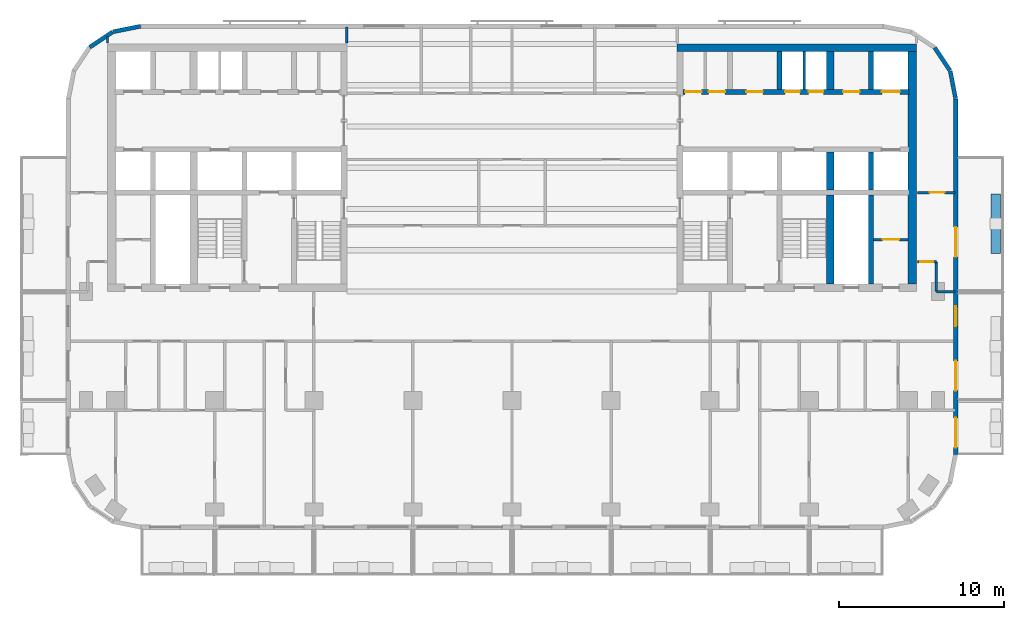
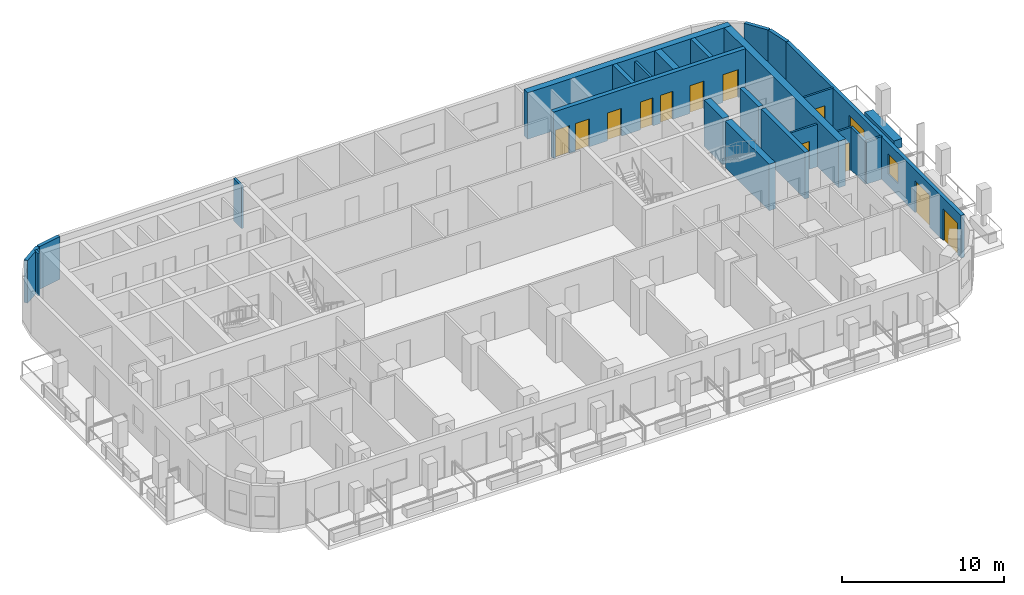
# One storey, part 7 of 12: 24 walls, 13 doors, 1 window, 14 openings.
"""IFC4 building model written with IfcOpenShell, lengths in metres."""

from ifc_helpers import new_model, si_unit, direction, frame, frame_2d, origin, place, context, subcontext, project, spatial, rectangle, extrude, material, layer, layer_set, type_object, element, fill, save


model = new_model("IFC4")

# Units and contexts
model_context = context("Model", 3, precision=1e-05, world=origin(), true_north=direction((0.0, 1.0)))
body_context = subcontext(model_context, "Body", "Model", "MODEL_VIEW")
ifc_project = project(units=[si_unit("LENGTHUNIT", "METRE"), si_unit("AREAUNIT", "SQUARE_METRE"), si_unit("VOLUMEUNIT", "CUBIC_METRE"), si_unit("PLANEANGLEUNIT", "RADIAN"), si_unit("MASSUNIT", "GRAM", prefix="KILO")], contexts=[model_context])

# Site, building, storey
site_placement = place(None, origin())
site = spatial("IfcSite", under=ifc_project, at=site_placement, CompositionType="ELEMENT")
building_placement = place(site_placement, origin())
building = spatial("IfcBuilding", under=site, at=building_placement, Name="Torana Hotel and Residences", CompositionType="ELEMENT")
storey_placement = place(building_placement, frame((0.0, 0.0, 201.10009765625)))
storey = spatial("IfcBuildingStorey", under=building, at=storey_placement, Name="L52", CompositionType="ELEMENT", Elevation=201.10009765625)

# Wall, openings, doors
ifc_material_1 = material(Name="Concrete C70/85", Category="concrete")
ifc_layer_1 = layer(ifc_material_1, 0.300048828125)
ifc_layer_set_1 = layer_set([ifc_layer_1], Name="CORE WALL 300 C70/85")
wall_type_1 = type_object("IfcWallType", Name="CORE WALL 300 C70/85", PredefinedType="SHEAR", material=ifc_layer_set_1)
wall_1_placement = place(storey_placement, frame((10.35009765625, -2.89990234375, 0.0), z_axis=(0.0, 0.0, 1.0), x_axis=(1.0, 0.0, 0.0)))
wall_1 = element("IfcWall", 1, at=wall_1_placement, inside=storey, type_object=wall_type_1, Name="Core wall E row-N", PredefinedType="SHEAR", context=body_context, shape_type="SweptSolid", body=[
    extrude(rectangle(XDim=13.699951171875, YDim=0.300048828125, at=frame_2d((6.85009765625, 0.0))), origin(), (0.0, 0.0, 1.0), 3.5),
])
opening_1_placement = place(wall_1_placement, frame((12.050048828125, 0.0, 0.0)))
opening_1 = element("IfcOpeningElement", 2, at=opening_1_placement, cuts=wall_1, Name="Opening LD", PredefinedType="OPENING", context=body_context, shape_type="SweptSolid", body=[
    extrude(rectangle(XDim=1.10009765625, YDim=2.10009765625, at=frame_2d((0.550048828125, 1.050048828125))), frame((0.0, 0.159912109375, 0.0), z_axis=(0.0, -1.0, 0.0), x_axis=(1.0, 0.0, 0.0)), (0.0, 0.0, 1.0), 0.320068359375),
])
opening_2_placement = place(wall_1_placement, frame((6.1875, 0.0, 0.0)))
opening_2 = element("IfcOpeningElement", 3, at=opening_2_placement, cuts=wall_1, Name="Opening L52-23", PredefinedType="OPENING", context=body_context, shape_type="SweptSolid", body=[
    extrude(rectangle(XDim=0.89990234375, YDim=2.10009765625, at=frame_2d((0.449951171875, 1.050048828125))), frame((0.0, 0.159912109375, 0.0), z_axis=(0.0, -1.0, 0.0), x_axis=(1.0, 0.0, 0.0)), (0.0, 0.0, 1.0), 0.320068359375),
])
opening_3_placement = place(wall_1_placement, frame((7.612548828125, 0.0, 0.0)))
opening_3 = element("IfcOpeningElement", 4, at=opening_3_placement, cuts=wall_1, Name="Opening L52-24", PredefinedType="OPENING", context=body_context, shape_type="SweptSolid", body=[
    extrude(rectangle(XDim=0.89990234375, YDim=2.10009765625, at=frame_2d((0.449951171875, 1.050048828125))), frame((0.0, 0.159912109375, 0.0), z_axis=(0.0, -1.0, 0.0), x_axis=(1.0, 0.0, 0.0)), (0.0, 0.0, 1.0), 0.320068359375),
])
opening_4_placement = place(wall_1_placement, frame((0.137451171875, 0.0, 0.0)))
opening_4 = element("IfcOpeningElement", 5, at=opening_4_placement, cuts=wall_1, Name="Opening L52-25", PredefinedType="OPENING", context=body_context, shape_type="SweptSolid", body=[
    extrude(rectangle(XDim=1.0, YDim=2.10009765625, at=frame_2d((0.5, 1.050048828125))), frame((0.0, 0.159912109375, 0.0), z_axis=(0.0, -1.0, 0.0), x_axis=(1.0, 0.0, 0.0)), (0.0, 0.0, 1.0), 0.320068359375),
])
opening_5_placement = place(wall_1_placement, frame((1.5625, 0.0, 0.0)))
opening_5 = element("IfcOpeningElement", 6, at=opening_5_placement, cuts=wall_1, Name="Opening L52-26", PredefinedType="OPENING", context=body_context, shape_type="SweptSolid", body=[
    extrude(rectangle(XDim=1.0, YDim=2.10009765625, at=frame_2d((0.5, 1.050048828125))), frame((0.0, 0.159912109375, 0.0), z_axis=(0.0, -1.0, 0.0), x_axis=(1.0, 0.0, 0.0)), (0.0, 0.0, 1.0), 0.320068359375),
])
opening_6_placement = place(wall_1_placement, frame((3.85009765625, 0.0, 0.0)))
opening_6 = element("IfcOpeningElement", 7, at=opening_6_placement, cuts=wall_1, Name="Opening L52-27", PredefinedType="OPENING", context=body_context, shape_type="SweptSolid", body=[
    extrude(rectangle(XDim=1.0, YDim=2.10009765625, at=frame_2d((0.5, 1.050048828125))), frame((0.0, 0.159912109375, 0.0), z_axis=(0.0, -1.0, 0.0), x_axis=(1.0, 0.0, 0.0)), (0.0, 0.0, 1.0), 0.320068359375),
])
opening_7_placement = place(wall_1_placement, frame((9.699951171875, 0.0, 0.0)))
opening_7 = element("IfcOpeningElement", 8, at=opening_7_placement, cuts=wall_1, Name="Opening L52-28", PredefinedType="OPENING", context=body_context, shape_type="SweptSolid", body=[
    extrude(rectangle(XDim=1.0, YDim=2.10009765625, at=frame_2d((0.5, 1.050048828125))), frame((0.0, 0.159912109375, 0.0), z_axis=(0.0, -1.0, 0.0), x_axis=(1.0, 0.0, 0.0)), (0.0, 0.0, 1.0), 0.320068359375),
])
ifc_material_2 = material(Name="Steel S235", Category="steel")
door_type_1 = type_object("IfcDoorType", Name="CORE ROOM FIRE DOOR D14 1000x2100", OperationType="SINGLE_SWING_LEFT", PredefinedType="DOOR", material=ifc_material_2)
door_1_placement = place(opening_4_placement, origin())
door_1 = element("IfcDoor", 9, at=door_1_placement, inside=storey, type_object=door_type_1, Name="N0A door L52", OperationType="SINGLE_SWING_RIGHT", OverallHeight=2.10009765625, OverallWidth=1.0, PredefinedType="DOOR", context=body_context, shape_type="SweptSolid", body=[
    extrude(rectangle(XDim=1.0, YDim=2.10009765625, at=frame_2d((0.5, 1.050048828125))), frame((0.0, 0.02490234375, 0.0), z_axis=(0.0, -1.0, 0.0), x_axis=(1.0, 0.0, 0.0)), (0.0, 0.0, 1.0), 0.050048828125),
])
fill(opening_4, door_1)
door_2_placement = place(opening_5_placement, origin())
door_2 = element("IfcDoor", 10, at=door_2_placement, inside=storey, type_object=door_type_1, Name="N0B door L52", OperationType="SINGLE_SWING_RIGHT", OverallHeight=2.10009765625, OverallWidth=1.0, PredefinedType="DOOR", context=body_context, shape_type="SweptSolid", body=[
    extrude(rectangle(XDim=1.0, YDim=2.10009765625, at=frame_2d((0.5, 1.050048828125))), frame((0.0, 0.02490234375, 0.0), z_axis=(0.0, -1.0, 0.0), x_axis=(1.0, 0.0, 0.0)), (0.0, 0.0, 1.0), 0.050048828125),
])
fill(opening_5, door_2)
door_3_placement = place(opening_6_placement, origin())
door_3 = element("IfcDoor", 11, at=door_3_placement, inside=storey, type_object=door_type_1, Name="N1 door L52", OperationType="SINGLE_SWING_RIGHT", OverallHeight=2.10009765625, OverallWidth=1.0, PredefinedType="DOOR", context=body_context, shape_type="SweptSolid", body=[
    extrude(rectangle(XDim=1.0, YDim=2.10009765625, at=frame_2d((0.5, 1.050048828125))), frame((0.0, 0.02490234375, 0.0), z_axis=(0.0, -1.0, 0.0), x_axis=(1.0, 0.0, 0.0)), (0.0, 0.0, 1.0), 0.050048828125),
])
fill(opening_6, door_3)
door_4_placement = place(opening_7_placement, origin())
door_4 = element("IfcDoor", 12, at=door_4_placement, inside=storey, type_object=door_type_1, Name="Freed-S2 door L52", OperationType="SINGLE_SWING_RIGHT", OverallHeight=2.10009765625, OverallWidth=1.0, PredefinedType="DOOR", context=body_context, shape_type="SweptSolid", body=[
    extrude(rectangle(XDim=1.0, YDim=2.10009765625, at=frame_2d((0.5, 1.050048828125))), frame((0.0, 0.02490234375, 0.0), z_axis=(0.0, -1.0, 0.0), x_axis=(1.0, 0.0, 0.0)), (0.0, 0.0, 1.0), 0.050048828125),
])
fill(opening_7, door_4)
ifc_material_3 = material(Name="Stainless steel 316", Category="steel")
door_type_2 = type_object("IfcDoorType", Name="LIFT LANDING DOOR LD 1100x2100", OperationType="DOUBLE_DOOR_SLIDING", PredefinedType="USERDEFINED", material=ifc_material_3)
door_5_placement = place(opening_1_placement, origin())
door_5 = element("IfcDoor", 13, at=door_5_placement, inside=storey, type_object=door_type_2, Name="Lift landing door M3 L52", ObjectType="LIFT LANDING DOOR", OperationType="DOUBLE_DOOR_SLIDING", OverallHeight=2.10009765625, OverallWidth=1.10009765625, PredefinedType="USERDEFINED", context=body_context, shape_type="SweptSolid", body=[
    extrude(rectangle(XDim=1.10009765625, YDim=2.10009765625, at=frame_2d((0.550048828125, 1.050048828125))), frame((0.0, 0.02490234375, 0.0), z_axis=(0.0, -1.0, 0.0), x_axis=(1.0, 0.0, 0.0)), (0.0, 0.0, 1.0), 0.050048828125),
])
fill(opening_1, door_5)
ifc_material_4 = material(Name="Steel S235", Category="steel")
door_type_3 = type_object("IfcDoorType", Name="RISER ACCESS DOOR D5 900x2100", OperationType="SINGLE_SWING_LEFT", PredefinedType="DOOR", material=ifc_material_4)
door_6_placement = place(opening_2_placement, origin())
door_6 = element("IfcDoor", 14, at=door_6_placement, inside=storey, type_object=door_type_3, Name="N2A door L52", OperationType="SINGLE_SWING_RIGHT", OverallHeight=2.10009765625, OverallWidth=0.89990234375, PredefinedType="DOOR", context=body_context, shape_type="SweptSolid", body=[
    extrude(rectangle(XDim=0.89990234375, YDim=2.10009765625, at=frame_2d((0.449951171875, 1.050048828125))), frame((0.0, 0.02490234375, 0.0), z_axis=(0.0, -1.0, 0.0), x_axis=(1.0, 0.0, 0.0)), (0.0, 0.0, 1.0), 0.050048828125),
])
fill(opening_2, door_6)
door_7_placement = place(opening_3_placement, origin())
door_7 = element("IfcDoor", 15, at=door_7_placement, inside=storey, type_object=door_type_3, Name="N2B door L52", OperationType="SINGLE_SWING_RIGHT", OverallHeight=2.10009765625, OverallWidth=0.89990234375, PredefinedType="DOOR", context=body_context, shape_type="SweptSolid", body=[
    extrude(rectangle(XDim=0.89990234375, YDim=2.10009765625, at=frame_2d((0.449951171875, 1.050048828125))), frame((0.0, 0.02490234375, 0.0), z_axis=(0.0, -1.0, 0.0), x_axis=(1.0, 0.0, 0.0)), (0.0, 0.0, 1.0), 0.050048828125),
])
fill(opening_3, door_7)

# Walls
for number, where, z_axis, x_axis, name in (
    (16, (16.199951171875, -2.75, 0.0), (0.0, 0.0, 1.0), (0.0, 1.0, 0.0), "Core wall E x6.05-N"),
    (17, (21.75, -2.75, 0.0), (0.0, 0.0, 1.0), (0.0, 1.0, 0.0), "Core wall E mm-N"),
    (18, (21.75, -8.85009765625, 0.0), (0.0, 0.0, 1.0), (0.0, 1.0, 0.0), "Core wall E mm-S"),
):
    element("IfcWall", number, at=place(storey_placement, frame(where, z_axis=z_axis, x_axis=x_axis)), inside=storey, type_object=wall_type_1, Name=name, PredefinedType="SHEAR", context=body_context, shape_type="SweptSolid", body=[
        extrude(rectangle(XDim=2.300048828125, YDim=0.300048828125, at=frame_2d((1.14990234375, 0.0))), origin(), (0.0, 0.0, 1.0), 3.5),
    ])
wall_2_placement = place(storey_placement, frame((21.75, -14.550048828125, 0.0), z_axis=(0.0, 0.0, 1.0), x_axis=(0.0, 1.0, 0.0)))
element("IfcWall", 19, at=wall_2_placement, inside=storey, type_object=wall_type_1, Name="Core wall E mm-band", PredefinedType="SHEAR", context=body_context, shape_type="SweptSolid", body=[
    extrude(rectangle(XDim=5.400146484375, YDim=0.300048828125, at=frame_2d((2.7001953125, 0.0))), origin(), (0.0, 0.0, 1.0), 3.5),
])
ifc_material_5 = material(Name="Concrete C70/85", Category="concrete")
ifc_layer_2 = layer(ifc_material_5, 0.449951171875)
ifc_layer_set_2 = layer_set([ifc_layer_2], Name="CORE WALL 450 C70/85")
wall_type_2 = type_object("IfcWallType", Name="CORE WALL 450 C70/85", PredefinedType="SHEAR", material=ifc_layer_set_2)
wall_3_placement = place(storey_placement, frame((10.0, -0.22509765625, 0.0), z_axis=(0.0, 0.0, 1.0), x_axis=(1.0, 0.0, 0.0)))
element("IfcWall", 20, at=wall_3_placement, inside=storey, type_object=wall_type_2, Name="Core wall E rear", PredefinedType="SHEAR", context=body_context, shape_type="SweptSolid", body=[
    extrude(rectangle(XDim=14.5, YDim=0.449951171875, at=frame_2d((7.25, 0.0))), origin(), (0.0, 0.0, 1.0), 3.5),
])
for number, where, z_axis, x_axis, name in (
    (21, (19.27490234375, -2.75, 0.0), (0.0, 0.0, 1.0), (0.0, 1.0, 0.0), "Core wall E hm-N"),
    (22, (19.27490234375, -8.85009765625, 0.0), (0.0, 0.0, 1.0), (0.0, 1.0, 0.0), "Core wall E hm-S"),
):
    element("IfcWall", number, at=place(storey_placement, frame(where, z_axis=z_axis, x_axis=x_axis)), inside=storey, type_object=wall_type_2, Name=name, PredefinedType="SHEAR", context=body_context, shape_type="SweptSolid", body=[
        extrude(rectangle(XDim=2.300048828125, YDim=0.449951171875, at=frame_2d((1.14990234375, 0.0))), origin(), (0.0, 0.0, 1.0), 3.5),
    ])
wall_4_placement = place(storey_placement, frame((19.27490234375, -14.550048828125, 0.0), z_axis=(0.0, 0.0, 1.0), x_axis=(0.0, 1.0, 0.0)))
element("IfcWall", 23, at=wall_4_placement, inside=storey, type_object=wall_type_2, Name="Core wall E hm-band", PredefinedType="SHEAR", context=body_context, shape_type="SweptSolid", body=[
    extrude(rectangle(XDim=5.400146484375, YDim=0.449951171875, at=frame_2d((2.7001953125, 0.0))), origin(), (0.0, 0.0, 1.0), 3.5),
])
ifc_material_6 = material(Name="Concrete C70/85", Category="concrete")
ifc_layer_3 = layer(ifc_material_6, 0.5)
ifc_layer_set_3 = layer_set([ifc_layer_3], Name="CORE WALL 500 C70/85")
wall_type_3 = type_object("IfcWallType", Name="CORE WALL 500 C70/85", PredefinedType="SHEAR", material=ifc_layer_set_3)
wall_5_placement = place(storey_placement, frame((24.25, -14.550048828125, 0.0), z_axis=(0.0, 0.0, 1.0), x_axis=(0.0, 1.0, 0.0)))
element("IfcWall", 24, at=wall_5_placement, inside=storey, type_object=wall_type_3, Name="Core wall E outer", PredefinedType="SHEAR", context=body_context, shape_type="SweptSolid", body=[
    extrude(rectangle(XDim=14.10009765625, YDim=0.5, at=frame_2d((7.050048828125, 0.0))), origin(), (0.0, 0.0, 1.0), 3.5),
])
ifc_material_7 = material(Name="Black aluminium composite panel", Category="aluminium")
ifc_layer_4 = layer(ifc_material_7, 0.00390625, Name="Cladding", Category="cladding")
ifc_material_8 = material(Name="Ventilated air cavity")
ifc_layer_5 = layer(ifc_material_8, 0.0400390625, Name="Ventilated cavity", Category="cavity")
ifc_material_9 = material(Name="Mineral wool insulation")
ifc_layer_6 = layer(ifc_material_9, 0.090087890625, Name="Insulation", Category="insulation")
ifc_material_10 = material(Name="Steel S280GD", Category="steel")
ifc_layer_7 = layer(ifc_material_10, 0.092041015625, Name="Steel stud frame", Category="structure")
ifc_material_11 = material(Name="Fire rated plasterboard")
ifc_layer_8 = layer(ifc_material_11, 0.011962890625, Name="Inner board", Category="finish")
ifc_layer_9 = layer(ifc_material_11, 0.011962890625, Name="Second board", Category="finish")
ifc_layer_set_4 = layer_set([ifc_layer_4, ifc_layer_5, ifc_layer_6, ifc_layer_7, ifc_layer_8, ifc_layer_9], Name="EW1 EXTERNAL WALL BLACK METAL CLAD 250")
wall_type_4 = type_object("IfcWallType", Name="EW1 EXTERNAL WALL BLACK METAL CLAD 250", PredefinedType="SOLIDWALL", material=ifc_layer_set_4)
wall_6_placement = place(storey_placement, frame((26.87255859375, -3.30029296875, 0.0), z_axis=(0.0, 0.0, 1.0), x_axis=(-0.194999110559, 0.980803419081, 0.0)))
element("IfcWall", 25, at=wall_6_placement, inside=storey, type_object=wall_type_4, Name="External wall L52 e0.0", PredefinedType="SOLIDWALL", context=body_context, shape_type="SweptSolid", body=[
    extrude(rectangle(XDim=1.681396484375, YDim=0.25, at=frame_2d((0.8408203125, 0.0))), origin(), (0.0, 0.0, 1.0), 3.219970703125),
])
wall_7_placement = place(storey_placement, frame((26.52587890625, -1.60595703125, 0.0), z_axis=(0.0, 0.0, 1.0), x_axis=(-0.55555029066, 0.831482937015, 0.0)))
element("IfcWall", 26, at=wall_7_placement, inside=storey, type_object=wall_type_4, Name="External wall L52 e0.1", PredefinedType="SOLIDWALL", context=body_context, shape_type="SweptSolid", body=[
    extrude(rectangle(XDim=1.65625, YDim=0.25, at=frame_2d((0.828125, 0.0))), origin(), (0.0, 0.0, 1.0), 3.219970703125),
])
wall_8_placement = place(storey_placement, frame((-22.499755859375, 1.072509765625, 0.0), z_axis=(0.0, 0.0, 1.0), x_axis=(-0.980803419081, -0.194999110559, 0.0)))
element("IfcWall", 27, at=wall_8_placement, inside=storey, type_object=wall_type_4, Name="External wall L52 e0.5", PredefinedType="SOLIDWALL", context=body_context, shape_type="SweptSolid", body=[
    extrude(rectangle(XDim=1.681396484375, YDim=0.25, at=frame_2d((0.8408203125, 0.0))), origin(), (0.0, 0.0, 1.0), 3.219970703125),
])
wall_9_placement = place(storey_placement, frame((-24.194091796875, 0.725830078125, 0.0), z_axis=(0.0, 0.0, 1.0), x_axis=(-0.831482937015, -0.55555029066, 0.0)))
element("IfcWall", 28, at=wall_9_placement, inside=storey, type_object=wall_type_4, Name="External wall L52 e0.6", PredefinedType="SOLIDWALL", context=body_context, shape_type="SweptSolid", body=[
    extrude(rectangle(XDim=1.65625, YDim=0.25, at=frame_2d((0.828125, 0.0))), origin(), (0.0, 0.0, 1.0), 3.219970703125),
])

# Wall, openings, doors, window
wall_10_placement = place(storey_placement, frame((26.875, -24.87548828125, 0.0), z_axis=(0.0, 0.0, 1.0), x_axis=(0.0, 1.0, 0.0)))
wall_10 = element("IfcWall", 29, at=wall_10_placement, inside=storey, type_object=wall_type_4, Name="External wall L52 e0.19", PredefinedType="SOLIDWALL", context=body_context, shape_type="SweptSolid", body=[
    extrude(rectangle(XDim=21.55078125, YDim=0.25, at=frame_2d((10.775390625, 0.0))), origin(), (0.0, 0.0, 1.0), 3.219970703125),
])
opening_8_placement = place(wall_10_placement, frame((0.42529296875, 0.0, 0.0)))
opening_8 = element("IfcOpeningElement", 30, at=opening_8_placement, cuts=wall_10, Name="Opening L52-E09", PredefinedType="OPENING", context=body_context, shape_type="SweptSolid", body=[
    extrude(rectangle(XDim=1.800048828125, YDim=2.39990234375, at=frame_2d((0.89990234375, 1.199951171875))), frame((0.0, 0.135009765625, 0.0), z_axis=(0.0, -1.0, 0.0), x_axis=(1.0, 0.0, 0.0)), (0.0, 0.0, 1.0), 0.27001953125),
])
opening_9_placement = place(wall_10_placement, frame((3.87548828125, 0.0, 0.0)))
opening_9 = element("IfcOpeningElement", 31, at=opening_9_placement, cuts=wall_10, Name="Opening L52-E10", PredefinedType="OPENING", context=body_context, shape_type="SweptSolid", body=[
    extrude(rectangle(XDim=1.800048828125, YDim=2.39990234375, at=frame_2d((0.89990234375, 1.199951171875))), frame((0.0, 0.135009765625, 0.0), z_axis=(0.0, -1.0, 0.0), x_axis=(1.0, 0.0, 0.0)), (0.0, 0.0, 1.0), 0.27001953125),
])
opening_10_placement = place(wall_10_placement, frame((7.775390625, 0.0, 0.89990234375)))
opening_10 = element("IfcOpeningElement", 32, at=opening_10_placement, cuts=wall_10, Name="Opening W5", PredefinedType="OPENING", context=body_context, shape_type="SweptSolid", body=[
    extrude(rectangle(XDim=1.199951171875, YDim=1.5, at=frame_2d((0.60009765625, 0.75))), frame((0.0, 0.135009765625, 0.0), z_axis=(0.0, -1.0, 0.0), x_axis=(1.0, 0.0, 0.0)), (0.0, 0.0, 1.0), 0.27001953125),
])
opening_11_placement = place(wall_10_placement, frame((11.975341796875, 0.0, 0.0)))
opening_11 = element("IfcOpeningElement", 33, at=opening_11_placement, cuts=wall_10, Name="Opening L52-E11", PredefinedType="OPENING", context=body_context, shape_type="SweptSolid", body=[
    extrude(rectangle(XDim=1.800048828125, YDim=2.39990234375, at=frame_2d((0.89990234375, 1.199951171875))), frame((0.0, 0.135009765625, 0.0), z_axis=(0.0, -1.0, 0.0), x_axis=(1.0, 0.0, 0.0)), (0.0, 0.0, 1.0), 0.27001953125),
])
ifc_material_12 = material(Name="Dark glass in black aluminium frame", Category="aluminium")
door_type_4 = type_object("IfcDoorType", Name="DB1 BALCONY DOOR 1800x2400", OperationType="DOUBLE_DOOR_SINGLE_SWING", PredefinedType="DOOR", material=ifc_material_12)
door_8_placement = place(opening_8_placement, origin())
door_8 = element("IfcDoor", 34, at=door_8_placement, inside=storey, type_object=door_type_4, Name="Balcony door L52", OperationType="DOUBLE_DOOR_SINGLE_SWING", OverallHeight=2.39990234375, OverallWidth=1.800048828125, PredefinedType="DOOR", context=body_context, shape_type="SweptSolid", body=[
    extrude(rectangle(XDim=1.800048828125, YDim=2.39990234375, at=frame_2d((0.89990234375, 1.199951171875))), frame((0.0, 0.02490234375, 0.0), z_axis=(0.0, -1.0, 0.0), x_axis=(1.0, 0.0, 0.0)), (0.0, 0.0, 1.0), 0.050048828125),
])
fill(opening_8, door_8)
door_9_placement = place(opening_9_placement, origin())
door_9 = element("IfcDoor", 35, at=door_9_placement, inside=storey, type_object=door_type_4, Name="Balcony door L52", OperationType="DOUBLE_DOOR_SINGLE_SWING", OverallHeight=2.39990234375, OverallWidth=1.800048828125, PredefinedType="DOOR", context=body_context, shape_type="SweptSolid", body=[
    extrude(rectangle(XDim=1.800048828125, YDim=2.39990234375, at=frame_2d((0.89990234375, 1.199951171875))), frame((0.0, 0.02490234375, 0.0), z_axis=(0.0, -1.0, 0.0), x_axis=(1.0, 0.0, 0.0)), (0.0, 0.0, 1.0), 0.050048828125),
])
fill(opening_9, door_9)
door_10_placement = place(opening_11_placement, origin())
door_10 = element("IfcDoor", 36, at=door_10_placement, inside=storey, type_object=door_type_4, Name="Balcony door L52", OperationType="DOUBLE_DOOR_SINGLE_SWING", OverallHeight=2.39990234375, OverallWidth=1.800048828125, PredefinedType="DOOR", context=body_context, shape_type="SweptSolid", body=[
    extrude(rectangle(XDim=1.800048828125, YDim=2.39990234375, at=frame_2d((0.89990234375, 1.199951171875))), frame((0.0, 0.02490234375, 0.0), z_axis=(0.0, -1.0, 0.0), x_axis=(1.0, 0.0, 0.0)), (0.0, 0.0, 1.0), 0.050048828125),
])
fill(opening_11, door_10)
ifc_material_13 = material(Name="Dark glass in black aluminium frame", Category="aluminium")
window_type = type_object("IfcWindowType", Name="W5 CORNER FACET WINDOW 1200x1500", PartitioningType="SINGLE_PANEL", PredefinedType="WINDOW", material=ifc_material_13)
window_placement = place(opening_10_placement, origin())
window = element("IfcWindow", 37, at=window_placement, inside=storey, type_object=window_type, Name="Window L52", OverallHeight=1.5, OverallWidth=1.199951171875, PartitioningType="SINGLE_PANEL", PredefinedType="WINDOW", context=body_context, shape_type="SweptSolid", body=[
    extrude(rectangle(XDim=1.199951171875, YDim=1.5, at=frame_2d((0.60009765625, 0.75))), frame((0.0, 0.030029296875, 0.0), z_axis=(0.0, -1.0, 0.0), x_axis=(1.0, 0.0, 0.0)), (0.0, 0.0, 1.0), 0.06005859375),
])
fill(opening_10, window)

# Wall
ifc_material_14 = material(Name="Gypsum plaster")
ifc_layer_10 = layer(ifc_material_14, 0.014892578125, Name="Plaster", Category="finish")
ifc_material_15 = material(Name="Concrete blockwork", Category="masonry")
ifc_layer_11 = layer(ifc_material_15, 0.1201171875, Name="Blockwork", Category="structure")
ifc_layer_12 = layer(ifc_material_14, 0.014892578125, Name="Plaster", Category="finish")
ifc_layer_set_5 = layer_set([ifc_layer_10, ifc_layer_11, ifc_layer_12], Name="FIRE PARTITION 150 BLOCKWORK")
wall_type_5 = type_object("IfcWallType", Name="FIRE PARTITION 150 BLOCKWORK", PredefinedType="PARTITIONING", material=ifc_layer_set_5)
wall_11_placement = place(storey_placement, frame((17.699951171875, -2.75, 0.0), z_axis=(0.0, 0.0, 1.0), x_axis=(0.0, 1.0, 0.0)))
element("IfcWall", 38, at=wall_11_placement, inside=storey, type_object=wall_type_5, Name="Core partition L52", PredefinedType="PARTITIONING", context=body_context, shape_type="SweptSolid", body=[
    extrude(rectangle(XDim=2.300048828125, YDim=0.14990234375, at=frame_2d((1.14990234375, 0.0))), origin(), (0.0, 0.0, 1.0), 3.199951171875),
])

# Wall, opening, door
wall_12_placement = place(storey_placement, frame((21.89990234375, -11.85009765625, 0.0), z_axis=(0.0, 0.0, 1.0), x_axis=(1.0, 0.0, 0.0)))
wall_12 = element("IfcWall", 39, at=wall_12_placement, inside=storey, type_object=wall_type_5, Name="Core partition L52", PredefinedType="PARTITIONING", context=body_context, shape_type="SweptSolid", body=[
    extrude(rectangle(XDim=2.10009765625, YDim=0.14990234375, at=frame_2d((1.050048828125, 0.0))), origin(), (0.0, 0.0, 1.0), 3.199951171875),
])
opening_12_placement = place(wall_12_placement, frame((0.550048828125, 0.0, 0.0)))
opening_12 = element("IfcOpeningElement", 40, at=opening_12_placement, cuts=wall_12, Name="Opening L52-32", PredefinedType="OPENING", context=body_context, shape_type="SweptSolid", body=[
    extrude(rectangle(XDim=1.0, YDim=2.10009765625, at=frame_2d((0.5, 1.050048828125))), frame((0.0, 0.0849609375, 0.0), z_axis=(0.0, -1.0, 0.0), x_axis=(1.0, 0.0, 0.0)), (0.0, 0.0, 1.0), 0.169921875),
])
door_11_placement = place(opening_12_placement, origin())
door_11 = element("IfcDoor", 41, at=door_11_placement, inside=storey, type_object=door_type_1, Name="Plant room door L52", OperationType="SINGLE_SWING_RIGHT", OverallHeight=2.10009765625, OverallWidth=1.0, PredefinedType="DOOR", context=body_context, shape_type="SweptSolid", body=[
    extrude(rectangle(XDim=1.0, YDim=2.10009765625, at=frame_2d((0.5, 1.050048828125))), frame((0.0, 0.02490234375, 0.0), z_axis=(0.0, -1.0, 0.0), x_axis=(1.0, 0.0, 0.0)), (0.0, 0.0, 1.0), 0.050048828125),
])
fill(opening_12, door_11)

# Walls
wall_13_placement = place(storey_placement, frame((25.699951171875, -15.0, 0.0), z_axis=(0.0, 0.0, 1.0), x_axis=(0.0, 1.0, 0.0)))
element("IfcWall", 42, at=wall_13_placement, inside=storey, type_object=wall_type_5, Name="Partition L52", PredefinedType="PARTITIONING", context=body_context, shape_type="SweptSolid", body=[
    extrude(rectangle(XDim=1.800048828125, YDim=0.14990234375, at=frame_2d((0.89990234375, 0.0))), origin(), (0.0, 0.0, 1.0), 3.219970703125),
])
wall_14_placement = place(storey_placement, frame((25.699951171875, -15.0, 0.0), z_axis=(0.0, 0.0, 1.0), x_axis=(1.0, 0.0, 0.0)))
element("IfcWall", 43, at=wall_14_placement, inside=storey, type_object=wall_type_5, Name="Partition L52", PredefinedType="PARTITIONING", context=body_context, shape_type="SweptSolid", body=[
    extrude(rectangle(XDim=1.1201171875, YDim=0.14990234375, at=frame_2d((0.56005859375, 0.0))), origin(), (0.0, 0.0, 1.0), 3.219970703125),
])

# Wall, opening, door
wall_15_placement = place(storey_placement, frame((24.550048828125, -13.199951171875, 0.0), z_axis=(0.0, 0.0, 1.0), x_axis=(1.0, 0.0, 0.0)))
wall_15 = element("IfcWall", 44, at=wall_15_placement, inside=storey, type_object=wall_type_5, Name="Partition L52", PredefinedType="PARTITIONING", context=body_context, shape_type="SweptSolid", body=[
    extrude(rectangle(XDim=1.14990234375, YDim=0.14990234375, at=frame_2d((0.574951171875, 0.0))), origin(), (0.0, 0.0, 1.0), 3.219970703125),
])
opening_13_placement = place(wall_15_placement, frame((0.175048828125, 0.0, 0.0)))
opening_13 = element("IfcOpeningElement", 45, at=opening_13_placement, cuts=wall_15, Name="Opening L52-42", PredefinedType="OPENING", context=body_context, shape_type="SweptSolid", body=[
    extrude(rectangle(XDim=0.800048828125, YDim=2.10009765625, at=frame_2d((0.39990234375, 1.050048828125))), frame((0.0, 0.0849609375, 0.0), z_axis=(0.0, -1.0, 0.0), x_axis=(1.0, 0.0, 0.0)), (0.0, 0.0, 1.0), 0.169921875),
])
ifc_material_16 = material(Name="Steel S235", Category="steel")
door_type_5 = type_object("IfcDoorType", Name="STORE FIRE DOOR D16 800x2100", OperationType="SINGLE_SWING_LEFT", PredefinedType="DOOR", material=ifc_material_16)
door_12_placement = place(opening_13_placement, origin())
door_12 = element("IfcDoor", 46, at=door_12_placement, inside=storey, type_object=door_type_5, Name="Door L52", OperationType="SINGLE_SWING_RIGHT", OverallHeight=2.10009765625, OverallWidth=0.800048828125, PredefinedType="DOOR", context=body_context, shape_type="SweptSolid", body=[
    extrude(rectangle(XDim=0.800048828125, YDim=2.10009765625, at=frame_2d((0.39990234375, 1.050048828125))), frame((0.0, 0.02490234375, 0.0), z_axis=(0.0, -1.0, 0.0), x_axis=(1.0, 0.0, 0.0)), (0.0, 0.0, 1.0), 0.050048828125),
])
fill(opening_13, door_12)

# Walls
ifc_material_17 = material(Name="Gypsum plasterboard")
ifc_layer_13 = layer(ifc_material_17, 0.012451171875, Name="Plasterboard", Category="finish")
ifc_layer_14 = layer(ifc_material_17, 0.012451171875, Name="Plasterboard", Category="finish")
ifc_layer_15 = layer(ifc_material_10, 0.10009765625, Name="Steel studs with mineral wool", Category="insulation")
ifc_layer_16 = layer(ifc_material_17, 0.012451171875, Name="Plasterboard", Category="finish")
ifc_layer_17 = layer(ifc_material_17, 0.012451171875, Name="Plasterboard", Category="finish")
ifc_layer_set_6 = layer_set([ifc_layer_13, ifc_layer_14, ifc_layer_15, ifc_layer_16, ifc_layer_17], Name="PARTITION 150 PLASTERBOARD")
wall_type_6 = type_object("IfcWallType", Name="PARTITION 150 PLASTERBOARD", PredefinedType="PARTITIONING", material=ifc_layer_set_6)
wall_16_placement = place(storey_placement, frame((-10.0, 0.050048828125, 0.0), z_axis=(0.0, 0.0, 1.0), x_axis=(0.0, 1.0, 0.0)))
element("IfcWall", 47, at=wall_16_placement, inside=storey, type_object=wall_type_6, Name="Partition L52", PredefinedType="PARTITIONING", context=body_context, shape_type="SweptSolid", body=[
    extrude(rectangle(XDim=0.969970703125, YDim=0.14990234375, at=frame_2d((0.48486328125, 0.0))), origin(), (0.0, 0.0, 1.0), 3.219970703125),
])
wall_17_placement = place(storey_placement, frame((-24.5, 0.050048828125, 0.0), z_axis=(0.0, 0.0, 1.0), x_axis=(0.0, 1.0, 0.0)))
element("IfcWall", 48, at=wall_17_placement, inside=storey, type_object=wall_type_6, Name="Partition L52", PredefinedType="PARTITIONING", context=body_context, shape_type="SweptSolid", body=[
    extrude(rectangle(XDim=0.4052734375, YDim=0.14990234375, at=frame_2d((0.20263671875, 0.0))), origin(), (0.0, 0.0, 1.0), 3.219970703125),
])

# Wall, opening, door
wall_18_placement = place(storey_placement, frame((24.550048828125, -9.0, 0.0), z_axis=(0.0, 0.0, 1.0), x_axis=(1.0, 0.0, 0.0)))
wall_18 = element("IfcWall", 49, at=wall_18_placement, inside=storey, type_object=wall_type_6, Name="Partition L52", PredefinedType="PARTITIONING", context=body_context, shape_type="SweptSolid", body=[
    extrude(rectangle(XDim=2.27001953125, YDim=0.14990234375, at=frame_2d((1.135009765625, 0.0))), origin(), (0.0, 0.0, 1.0), 3.219970703125),
])
opening_14_placement = place(wall_18_placement, frame((0.75, 0.0, 0.0)))
opening_14 = element("IfcOpeningElement", 50, at=opening_14_placement, cuts=wall_18, Name="Opening L52-71", PredefinedType="OPENING", context=body_context, shape_type="SweptSolid", body=[
    extrude(rectangle(XDim=0.89990234375, YDim=2.10009765625, at=frame_2d((0.449951171875, 1.050048828125))), frame((0.0, 0.0849609375, 0.0), z_axis=(0.0, -1.0, 0.0), x_axis=(1.0, 0.0, 0.0)), (0.0, 0.0, 1.0), 0.169921875),
])
ifc_material_18 = material(Name="Timber door, oiled ash", Category="wood")
door_type_6 = type_object("IfcDoorType", Name="ROOM DOOR D7 900x2100", OperationType="SINGLE_SWING_LEFT", PredefinedType="DOOR", material=ifc_material_18)
door_13_placement = place(opening_14_placement, origin())
door_13 = element("IfcDoor", 51, at=door_13_placement, inside=storey, type_object=door_type_6, Name="Door L52", OperationType="SINGLE_SWING_LEFT", OverallHeight=2.10009765625, OverallWidth=0.89990234375, PredefinedType="DOOR", context=body_context, shape_type="SweptSolid", body=[
    extrude(rectangle(XDim=0.89990234375, YDim=2.10009765625, at=frame_2d((0.449951171875, 1.050048828125))), frame((0.0, 0.02490234375, 0.0), z_axis=(0.0, -1.0, 0.0), x_axis=(1.0, 0.0, 0.0)), (0.0, 0.0, 1.0), 0.050048828125),
])
fill(opening_14, door_13)

# Wall
ifc_material_19 = material(Name="Concrete C40/50 precast", Category="concrete")
ifc_layer_18 = layer(ifc_material_19, 0.10009765625, Name="Planter shell", Category="structure")
ifc_material_20 = material(Name="Root resistant membrane")
ifc_layer_19 = layer(ifc_material_20, 0.00390625, Name="Waterproofing membrane", Category="membrane")
ifc_material_21 = material(Name="Drainage board with filter fleece")
ifc_layer_20 = layer(ifc_material_21, 0.02001953125, Name="Drainage board", Category="drainage")
ifc_material_22 = material(Name="Growing medium")
ifc_layer_21 = layer(ifc_material_22, 0.47607421875, Name="Planting substrate", Category="soil")
ifc_layer_set_7 = layer_set([ifc_layer_18, ifc_layer_19, ifc_layer_20, ifc_layer_21], Name="PL1 BALCONY PLANTER 600")
wall_type_7 = type_object("IfcWallType", Name="PL1 BALCONY PLANTER 600", PredefinedType="USERDEFINED", material=ifc_layer_set_7)
wall_19_placement = place(storey_placement, frame((29.300048828125, -9.10009765625, 0.0), z_axis=(0.0, 0.0, 1.0), x_axis=(0.0, -1.0, 0.0)))
element("IfcWall", 52, at=wall_19_placement, inside=storey, type_object=wall_type_7, Name="Planter 14", ObjectType="PLANTER", PredefinedType="USERDEFINED", context=body_context, shape_type="SweptSolid", body=[
    extrude(rectangle(XDim=3.599853515625, YDim=0.60009765625, at=frame_2d((1.7998046875, 0.0))), origin(), (0.0, 0.0, 1.0), 0.64990234375),
])

save(model, "model.ifc")
